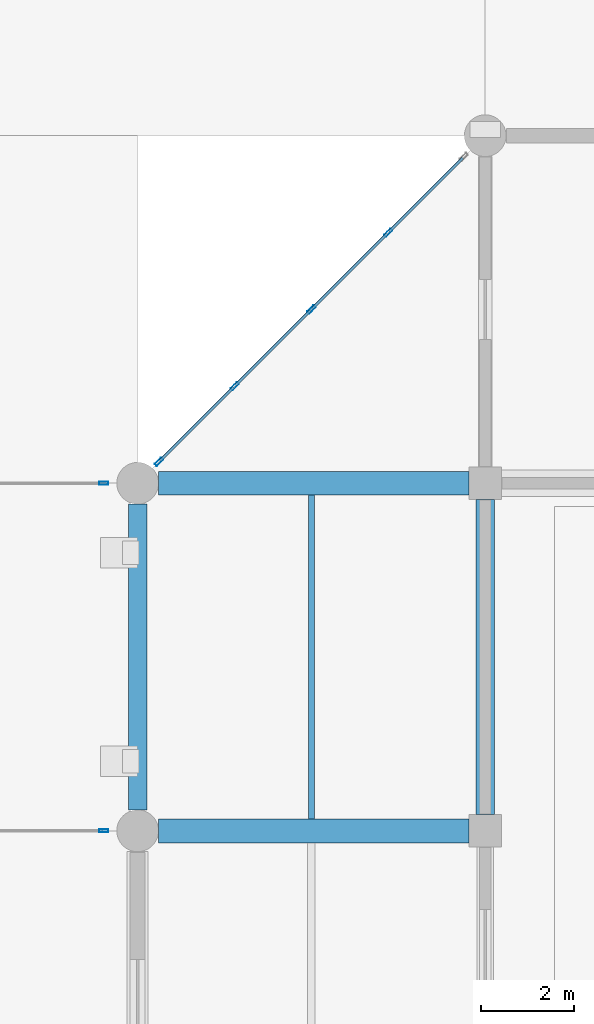
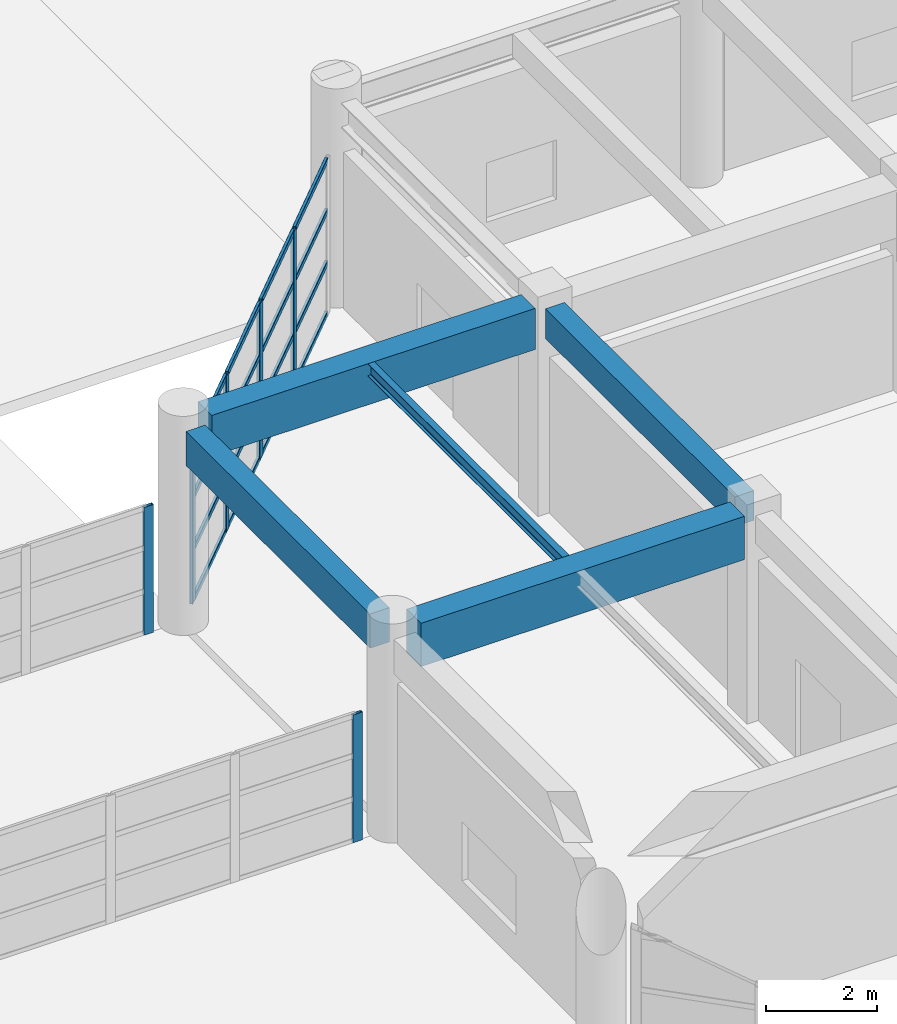
# One storey, part 56 of 122: 22 members, 5 beams, 3 elements without a shape of their own.
"""IFC4 building model written with IfcOpenShell, lengths in metres."""

from ifc_helpers import new_model, si_unit, direction, frame, origin, origin_2d, place, context, subcontext, project, spatial, rectangle, hollow_rectangle, i_section, extrude, material, material_profile, profile_set, type_object, element, aggregate, save


model = new_model("IFC4")

# Units and contexts
model_context = context("Model", 3, precision=1e-05, world=origin(), true_north=direction((0.0, 1.0)))
body_context = subcontext(model_context, "Body", "Model", "MODEL_VIEW")
ifc_project = project(units=[si_unit("LENGTHUNIT", "METRE"), si_unit("AREAUNIT", "SQUARE_METRE"), si_unit("VOLUMEUNIT", "CUBIC_METRE"), si_unit("PLANEANGLEUNIT", "RADIAN"), si_unit("MASSUNIT", "GRAM", prefix="KILO")], contexts=[model_context])

# Site, building, storey
site_placement = place(None, origin())
site = spatial("IfcSite", under=ifc_project, at=site_placement, CompositionType="ELEMENT")
building_placement = place(site_placement, origin())
building = spatial("IfcBuilding", under=site, at=building_placement, Name="Qasida Concert Hall", CompositionType="ELEMENT")
storey_placement = place(building_placement, origin())
storey = spatial("IfcBuildingStorey", under=building, at=storey_placement, Name="L00", CompositionType="ELEMENT", Elevation=0.0)

# Beams
ifc_material_1 = material(Name="Concrete C40/50", Category="concrete")
ifc_material_profile_1 = material_profile(ifc_material_1, rectangle(XDim=0.39990234375, YDim=0.64990234375, at=origin_2d()), Name="RC 400x650")
ifc_profile_set_1 = profile_set([ifc_material_profile_1], Name="Concrete C40/50")
beam_type_1 = type_object("IfcBeamType", Name="BM-B1", PredefinedType="BEAM", material=ifc_profile_set_1)
beam_1_placement = place(storey_placement, frame((135.0, 15.35009765625, 4.175048828125), z_axis=(0.0, 1.0, 0.0), x_axis=(-1.0, 0.0, 0.0)))
element("IfcBeam", 1, at=beam_1_placement, inside=storey, type_object=beam_type_1, Name="L00 girder 0486", PredefinedType="BEAM", context=body_context, shape_type="SweptSolid", body=[
    extrude(rectangle(XDim=0.39990234375, YDim=0.64990234375, at=origin_2d()), origin(), (0.0, 0.0, 1.0), 6.7998046875),
])
ifc_material_profile_2 = material_profile(ifc_material_1, rectangle(XDim=0.5, YDim=0.89990234375, at=origin_2d()), Name="RC 500x900")
ifc_profile_set_2 = profile_set([ifc_material_profile_2], Name="Concrete C40/50")
beam_type_2 = type_object("IfcBeamType", Name="BM-G1", PredefinedType="USERDEFINED", material=ifc_profile_set_2)
beam_2_placement = place(storey_placement, frame((127.949951171875, 22.5, 4.050048828125), z_axis=(1.0, 0.0, 0.0), x_axis=(0.0, 1.0, 0.0)))
element("IfcBeam", 2, at=beam_2_placement, inside=storey, type_object=beam_type_2, Name="Primary girder 0474", ObjectType="GIRDER", PredefinedType="USERDEFINED", context=body_context, shape_type="SweptSolid", body=[
    extrude(rectangle(XDim=0.5, YDim=0.89990234375, at=origin_2d()), origin(), (0.0, 0.0, 1.0), 6.699951171875),
])
ifc_material_profile_3 = material_profile(ifc_material_1, rectangle(XDim=0.52001953125, YDim=0.949951171875, at=origin_2d()), Name="RC 520x950")
ifc_profile_set_3 = profile_set([ifc_material_profile_3], Name="Concrete C40/50")
beam_type_3 = type_object("IfcBeamType", Name="BM-G7", PredefinedType="USERDEFINED", material=ifc_profile_set_3)
beam_3_placement = place(storey_placement, frame((127.949951171875, 15.0, 4.02490234375), z_axis=(1.0, 0.0, 0.0), x_axis=(0.0, 1.0, 0.0)))
element("IfcBeam", 3, at=beam_3_placement, inside=storey, type_object=beam_type_3, Name="Primary girder 0472", ObjectType="GIRDER", PredefinedType="USERDEFINED", context=body_context, shape_type="SweptSolid", body=[
    extrude(rectangle(XDim=0.52001953125, YDim=0.949951171875, at=origin_2d()), origin(), (0.0, 0.0, 1.0), 6.699951171875),
])
ifc_material_2 = material(Name="Steel S355J2", Category="steel")
ifc_material_profile_4 = material_profile(ifc_material_2, i_section(OverallWidth=0.135009765625, OverallDepth=0.27001953125, WebThickness=0.006591796875, FlangeThickness=0.01025390625, FilletRadius=0.014892578125, at=origin_2d()), Name="IPE 270")
ifc_profile_set_4 = profile_set([ifc_material_profile_4], Name="Steel S355J2")
beam_type_4 = type_object("IfcBeamType", Name="BM-J6", PredefinedType="JOIST", material=ifc_profile_set_4)
beam_4_placement = place(storey_placement, frame((131.25, 15.260009765625, 4.364990234375), z_axis=(0.0, 1.0, 0.0), x_axis=(-1.0, 0.0, 0.0)))
element("IfcBeam", 4, at=beam_4_placement, inside=storey, type_object=beam_type_4, Name="L00 secondary joist 0501", PredefinedType="JOIST", context=body_context, shape_type="SweptSolid", body=[
    extrude(i_section(OverallWidth=0.135009765625, OverallDepth=0.27001953125, WebThickness=0.006591796875, FlangeThickness=0.01025390625, FilletRadius=0.014892578125, at=origin_2d()), origin(), (0.0, 0.0, 1.0), 6.989990234375),
])
ifc_material_profile_5 = material_profile(ifc_material_1, rectangle(XDim=0.39990234375, YDim=0.75, at=origin_2d()), Name="RC 400x750")
ifc_profile_set_5 = profile_set([ifc_material_profile_5], Name="Concrete C40/50")
beam_type_5 = type_object("IfcBeamType", Name="BM-SP1", PredefinedType="SPANDREL", material=ifc_profile_set_5)
beam_5_placement = place(storey_placement, frame((127.5, 15.449951171875, 4.125), z_axis=(0.0, 1.0, 0.0), x_axis=(-1.0, 0.0, 0.0)))
element("IfcBeam", 5, at=beam_5_placement, inside=storey, type_object=beam_type_5, Name="L00 girder 0483", PredefinedType="SPANDREL", context=body_context, shape_type="SweptSolid", body=[
    extrude(rectangle(XDim=0.39990234375, YDim=0.75, at=origin_2d()), origin(), (0.0, 0.0, 1.0), 6.60009765625),
])

# Curtain wall, members
ifc_material_3 = material(Name="Architectural bronze-anodized aluminium and low-E glass", Category="aluminium")
curtain_wall_type = type_object("IfcCurtainWallType", Name="CW-07", PredefinedType="NOTDEFINED", material=ifc_material_3)
curtain_wall_1_placement = place(storey_placement, origin())
curtain_wall_1 = element("IfcCurtainWall", 6, at=curtain_wall_1_placement, inside=storey, type_object=curtain_wall_type, Name="L00 curtain wall CW-07 0141", PredefinedType="NOTDEFINED")
ifc_material_4 = material(Name="Architectural bronze-anodized aluminium EN AW-6063", Category="aluminium")
ifc_material_profile_6 = material_profile(ifc_material_4, hollow_rectangle(XDim=0.06494140625, YDim=0.199951171875, WallThickness=0.0048828125, InnerFilletRadius=0.0048828125, OuterFilletRadius=0.010009765625, at=origin_2d()), Name="CWM 200x65x5")
ifc_profile_set_6 = profile_set([ifc_material_profile_6], Name="Architectural bronze-anodized aluminium EN AW-6063")
member_type_1 = type_object("IfcMemberType", Name="MB-CWM-2", PredefinedType="MULLION", material=ifc_profile_set_6)
member_1_placement = place(storey_placement, frame((132.90576171875, 27.90576171875, 0.0), z_axis=(0.0, 0.0, 1.0), x_axis=(0.707106781187, -0.707106781187, 0.0)))
member_1 = element("IfcMember", 7, at=member_1_placement, type_object=member_type_1, Name="CW-07 mullion 2", PredefinedType="MULLION", context=body_context, shape_type="SweptSolid", body=[
    extrude(hollow_rectangle(XDim=0.06494140625, YDim=0.199951171875, WallThickness=0.0048828125, InnerFilletRadius=0.0048828125, OuterFilletRadius=0.010009765625, at=origin_2d()), origin(), (0.0, 0.0, 1.0), 3.419921875),
])
member_2_placement = place(storey_placement, frame((131.25, 26.25, 0.0), z_axis=(0.0, 0.0, 1.0), x_axis=(0.707106781187, -0.707106781187, 0.0)))
member_2 = element("IfcMember", 8, at=member_2_placement, type_object=member_type_1, Name="CW-07 mullion 3", PredefinedType="MULLION", context=body_context, shape_type="SweptSolid", body=[
    extrude(hollow_rectangle(XDim=0.06494140625, YDim=0.199951171875, WallThickness=0.0048828125, InnerFilletRadius=0.0048828125, OuterFilletRadius=0.010009765625, at=origin_2d()), origin(), (0.0, 0.0, 1.0), 3.419921875),
])
member_3_placement = place(storey_placement, frame((129.59423828125, 24.59423828125, 0.0), z_axis=(0.0, 0.0, 1.0), x_axis=(0.707106781187, -0.707106781187, 0.0)))
member_3 = element("IfcMember", 9, at=member_3_placement, type_object=member_type_1, Name="CW-07 mullion 4", PredefinedType="MULLION", context=body_context, shape_type="SweptSolid", body=[
    extrude(hollow_rectangle(XDim=0.06494140625, YDim=0.199951171875, WallThickness=0.0048828125, InnerFilletRadius=0.0048828125, OuterFilletRadius=0.010009765625, at=origin_2d()), origin(), (0.0, 0.0, 1.0), 3.419921875),
])
member_4_placement = place(storey_placement, frame((127.96142578125, 22.96142578125, 0.0), z_axis=(0.0, 0.0, 1.0), x_axis=(0.707106781187, -0.707106781187, 0.0)))
member_4 = element("IfcMember", 10, at=member_4_placement, type_object=member_type_1, Name="CW-07 mullion 5", PredefinedType="MULLION", context=body_context, shape_type="SweptSolid", body=[
    extrude(hollow_rectangle(XDim=0.06494140625, YDim=0.199951171875, WallThickness=0.0048828125, InnerFilletRadius=0.0048828125, OuterFilletRadius=0.010009765625, at=origin_2d()), origin(), (0.0, 0.0, 1.0), 3.419921875),
])

# Curtain wall, member
curtain_wall_2_placement = place(storey_placement, origin())
curtain_wall_2 = element("IfcCurtainWall", 11, at=curtain_wall_2_placement, inside=storey, type_object=curtain_wall_type, Name="L00 link bridge glazing 0232", PredefinedType="NOTDEFINED")
member_5_placement = place(storey_placement, frame((126.767578125, 15.0, 0.0), z_axis=(0.0, 0.0, 1.0), x_axis=(0.0, 1.0, 0.0)))
member_5 = element("IfcMember", 12, at=member_5_placement, type_object=member_type_1, Name="CW-07 mullion 5", PredefinedType="MULLION", context=body_context, shape_type="SweptSolid", body=[
    extrude(hollow_rectangle(XDim=0.06494140625, YDim=0.199951171875, WallThickness=0.0048828125, InnerFilletRadius=0.0048828125, OuterFilletRadius=0.010009765625, at=origin_2d()), origin(), (0.0, 0.0, 1.0), 2.800048828125),
])
aggregate(curtain_wall_2, [member_5])

curtain_wall_3_placement = place(storey_placement, origin())
curtain_wall_3 = element("IfcCurtainWall", 13, at=curtain_wall_3_placement, inside=storey, type_object=curtain_wall_type, Name="L00 link bridge glazing 0233", PredefinedType="NOTDEFINED")
member_6_placement = place(storey_placement, frame((126.767578125, 22.5, 0.0), z_axis=(0.0, 0.0, 1.0), x_axis=(0.0, 1.0, 0.0)))
member_6 = element("IfcMember", 14, at=member_6_placement, type_object=member_type_1, Name="CW-07 mullion 5", PredefinedType="MULLION", context=body_context, shape_type="SweptSolid", body=[
    extrude(hollow_rectangle(XDim=0.06494140625, YDim=0.199951171875, WallThickness=0.0048828125, InnerFilletRadius=0.0048828125, OuterFilletRadius=0.010009765625, at=origin_2d()), origin(), (0.0, 0.0, 1.0), 2.800048828125),
])
aggregate(curtain_wall_3, [member_6])

# Member
ifc_material_profile_7 = material_profile(ifc_material_4, hollow_rectangle(XDim=0.06005859375, YDim=0.1201171875, WallThickness=0.00390625, InnerFilletRadius=0.00390625, OuterFilletRadius=0.008056640625, at=origin_2d()), Name="CWT 120x60x4")
ifc_profile_set_7 = profile_set([ifc_material_profile_7], Name="Architectural bronze-anodized aluminium EN AW-6063")
member_type_2 = type_object("IfcMemberType", Name="MB-CWT-2", PredefinedType="USERDEFINED", material=ifc_profile_set_7)
member_7_placement = place(storey_placement, frame((134.515625, 29.515625, 0.030029296875), z_axis=(-0.707106781187, -0.707106781187, 0.0), x_axis=(0.707106781187, -0.707106781187, 0.0)))
member_7 = element("IfcMember", 15, at=member_7_placement, type_object=member_type_2, Name="CW-07 transom 1.1", ObjectType="TRANSOM", PredefinedType="USERDEFINED", context=body_context, shape_type="SweptSolid", body=[
    extrude(hollow_rectangle(XDim=0.06005859375, YDim=0.1201171875, WallThickness=0.00390625, InnerFilletRadius=0.00390625, OuterFilletRadius=0.008056640625, at=origin_2d()), origin(), (0.0, 0.0, 1.0), 2.244140625),
])

member_8_placement = place(storey_placement, frame((134.515625, 29.515625, 1.139892578125), z_axis=(-0.707106781187, -0.707106781187, 0.0), x_axis=(0.707106781187, -0.707106781187, 0.0)))
member_8 = element("IfcMember", 16, at=member_8_placement, type_object=member_type_2, Name="CW-07 transom 1.2", ObjectType="TRANSOM", PredefinedType="USERDEFINED", context=body_context, shape_type="SweptSolid", body=[
    extrude(hollow_rectangle(XDim=0.06005859375, YDim=0.1201171875, WallThickness=0.00390625, InnerFilletRadius=0.00390625, OuterFilletRadius=0.008056640625, at=origin_2d()), origin(), (0.0, 0.0, 1.0), 2.244140625),
])

member_9_placement = place(storey_placement, frame((134.515625, 29.515625, 2.280029296875), z_axis=(-0.707106781187, -0.707106781187, 0.0), x_axis=(0.707106781187, -0.707106781187, 0.0)))
member_9 = element("IfcMember", 17, at=member_9_placement, type_object=member_type_2, Name="CW-07 transom 1.3", ObjectType="TRANSOM", PredefinedType="USERDEFINED", context=body_context, shape_type="SweptSolid", body=[
    extrude(hollow_rectangle(XDim=0.06005859375, YDim=0.1201171875, WallThickness=0.00390625, InnerFilletRadius=0.00390625, OuterFilletRadius=0.008056640625, at=origin_2d()), origin(), (0.0, 0.0, 1.0), 2.244140625),
])

member_10_placement = place(storey_placement, frame((134.515625, 29.515625, 3.389892578125), z_axis=(-0.707106781187, -0.707106781187, 0.0), x_axis=(0.707106781187, -0.707106781187, 0.0)))
member_10 = element("IfcMember", 18, at=member_10_placement, type_object=member_type_2, Name="CW-07 transom 1.4", ObjectType="TRANSOM", PredefinedType="USERDEFINED", context=body_context, shape_type="SweptSolid", body=[
    extrude(hollow_rectangle(XDim=0.06005859375, YDim=0.1201171875, WallThickness=0.00390625, InnerFilletRadius=0.00390625, OuterFilletRadius=0.008056640625, at=origin_2d()), origin(), (0.0, 0.0, 1.0), 2.244140625),
])

member_11_placement = place(storey_placement, frame((132.8828125, 27.8828125, 0.030029296875), z_axis=(-0.707106781187, -0.707106781187, 0.0), x_axis=(0.707106781187, -0.707106781187, 0.0)))
member_11 = element("IfcMember", 19, at=member_11_placement, type_object=member_type_2, Name="CW-07 transom 2.1", ObjectType="TRANSOM", PredefinedType="USERDEFINED", context=body_context, shape_type="SweptSolid", body=[
    extrude(hollow_rectangle(XDim=0.06005859375, YDim=0.1201171875, WallThickness=0.00390625, InnerFilletRadius=0.00390625, OuterFilletRadius=0.008056640625, at=origin_2d()), origin(), (0.0, 0.0, 1.0), 2.276611328125),
])

member_12_placement = place(storey_placement, frame((132.8828125, 27.8828125, 1.139892578125), z_axis=(-0.707106781187, -0.707106781187, 0.0), x_axis=(0.707106781187, -0.707106781187, 0.0)))
member_12 = element("IfcMember", 20, at=member_12_placement, type_object=member_type_2, Name="CW-07 transom 2.2", ObjectType="TRANSOM", PredefinedType="USERDEFINED", context=body_context, shape_type="SweptSolid", body=[
    extrude(hollow_rectangle(XDim=0.06005859375, YDim=0.1201171875, WallThickness=0.00390625, InnerFilletRadius=0.00390625, OuterFilletRadius=0.008056640625, at=origin_2d()), origin(), (0.0, 0.0, 1.0), 2.276611328125),
])

member_13_placement = place(storey_placement, frame((132.8828125, 27.8828125, 2.280029296875), z_axis=(-0.707106781187, -0.707106781187, 0.0), x_axis=(0.707106781187, -0.707106781187, 0.0)))
member_13 = element("IfcMember", 21, at=member_13_placement, type_object=member_type_2, Name="CW-07 transom 2.3", ObjectType="TRANSOM", PredefinedType="USERDEFINED", context=body_context, shape_type="SweptSolid", body=[
    extrude(hollow_rectangle(XDim=0.06005859375, YDim=0.1201171875, WallThickness=0.00390625, InnerFilletRadius=0.00390625, OuterFilletRadius=0.008056640625, at=origin_2d()), origin(), (0.0, 0.0, 1.0), 2.276611328125),
])

member_14_placement = place(storey_placement, frame((132.8828125, 27.8828125, 3.389892578125), z_axis=(-0.707106781187, -0.707106781187, 0.0), x_axis=(0.707106781187, -0.707106781187, 0.0)))
member_14 = element("IfcMember", 22, at=member_14_placement, type_object=member_type_2, Name="CW-07 transom 2.4", ObjectType="TRANSOM", PredefinedType="USERDEFINED", context=body_context, shape_type="SweptSolid", body=[
    extrude(hollow_rectangle(XDim=0.06005859375, YDim=0.1201171875, WallThickness=0.00390625, InnerFilletRadius=0.00390625, OuterFilletRadius=0.008056640625, at=origin_2d()), origin(), (0.0, 0.0, 1.0), 2.276611328125),
])

member_15_placement = place(storey_placement, frame((131.22705078125, 26.22705078125, 0.030029296875), z_axis=(-0.707106781187, -0.707106781187, 0.0), x_axis=(0.707106781187, -0.707106781187, 0.0)))
member_15 = element("IfcMember", 23, at=member_15_placement, type_object=member_type_2, Name="CW-07 transom 3.1", ObjectType="TRANSOM", PredefinedType="USERDEFINED", context=body_context, shape_type="SweptSolid", body=[
    extrude(hollow_rectangle(XDim=0.06005859375, YDim=0.1201171875, WallThickness=0.00390625, InnerFilletRadius=0.00390625, OuterFilletRadius=0.008056640625, at=origin_2d()), origin(), (0.0, 0.0, 1.0), 2.276611328125),
])

member_16_placement = place(storey_placement, frame((131.22705078125, 26.22705078125, 1.139892578125), z_axis=(-0.707106781187, -0.707106781187, 0.0), x_axis=(0.707106781187, -0.707106781187, 0.0)))
member_16 = element("IfcMember", 24, at=member_16_placement, type_object=member_type_2, Name="CW-07 transom 3.2", ObjectType="TRANSOM", PredefinedType="USERDEFINED", context=body_context, shape_type="SweptSolid", body=[
    extrude(hollow_rectangle(XDim=0.06005859375, YDim=0.1201171875, WallThickness=0.00390625, InnerFilletRadius=0.00390625, OuterFilletRadius=0.008056640625, at=origin_2d()), origin(), (0.0, 0.0, 1.0), 2.276611328125),
])

member_17_placement = place(storey_placement, frame((131.22705078125, 26.22705078125, 2.280029296875), z_axis=(-0.707106781187, -0.707106781187, 0.0), x_axis=(0.707106781187, -0.707106781187, 0.0)))
member_17 = element("IfcMember", 25, at=member_17_placement, type_object=member_type_2, Name="CW-07 transom 3.3", ObjectType="TRANSOM", PredefinedType="USERDEFINED", context=body_context, shape_type="SweptSolid", body=[
    extrude(hollow_rectangle(XDim=0.06005859375, YDim=0.1201171875, WallThickness=0.00390625, InnerFilletRadius=0.00390625, OuterFilletRadius=0.008056640625, at=origin_2d()), origin(), (0.0, 0.0, 1.0), 2.276611328125),
])

member_18_placement = place(storey_placement, frame((131.22705078125, 26.22705078125, 3.389892578125), z_axis=(-0.707106781187, -0.707106781187, 0.0), x_axis=(0.707106781187, -0.707106781187, 0.0)))
member_18 = element("IfcMember", 26, at=member_18_placement, type_object=member_type_2, Name="CW-07 transom 3.4", ObjectType="TRANSOM", PredefinedType="USERDEFINED", context=body_context, shape_type="SweptSolid", body=[
    extrude(hollow_rectangle(XDim=0.06005859375, YDim=0.1201171875, WallThickness=0.00390625, InnerFilletRadius=0.00390625, OuterFilletRadius=0.008056640625, at=origin_2d()), origin(), (0.0, 0.0, 1.0), 2.276611328125),
])

member_19_placement = place(storey_placement, frame((129.5712890625, 24.5712890625, 0.030029296875), z_axis=(-0.707106781187, -0.707106781187, 0.0), x_axis=(0.707106781187, -0.707106781187, 0.0)))
member_19 = element("IfcMember", 27, at=member_19_placement, type_object=member_type_2, Name="CW-07 transom 4.1", ObjectType="TRANSOM", PredefinedType="USERDEFINED", context=body_context, shape_type="SweptSolid", body=[
    extrude(hollow_rectangle(XDim=0.06005859375, YDim=0.1201171875, WallThickness=0.00390625, InnerFilletRadius=0.00390625, OuterFilletRadius=0.008056640625, at=origin_2d()), origin(), (0.0, 0.0, 1.0), 2.244140625),
])

member_20_placement = place(storey_placement, frame((129.5712890625, 24.5712890625, 1.139892578125), z_axis=(-0.707106781187, -0.707106781187, 0.0), x_axis=(0.707106781187, -0.707106781187, 0.0)))
member_20 = element("IfcMember", 28, at=member_20_placement, type_object=member_type_2, Name="CW-07 transom 4.2", ObjectType="TRANSOM", PredefinedType="USERDEFINED", context=body_context, shape_type="SweptSolid", body=[
    extrude(hollow_rectangle(XDim=0.06005859375, YDim=0.1201171875, WallThickness=0.00390625, InnerFilletRadius=0.00390625, OuterFilletRadius=0.008056640625, at=origin_2d()), origin(), (0.0, 0.0, 1.0), 2.244140625),
])

member_21_placement = place(storey_placement, frame((129.5712890625, 24.5712890625, 2.280029296875), z_axis=(-0.707106781187, -0.707106781187, 0.0), x_axis=(0.707106781187, -0.707106781187, 0.0)))
member_21 = element("IfcMember", 29, at=member_21_placement, type_object=member_type_2, Name="CW-07 transom 4.3", ObjectType="TRANSOM", PredefinedType="USERDEFINED", context=body_context, shape_type="SweptSolid", body=[
    extrude(hollow_rectangle(XDim=0.06005859375, YDim=0.1201171875, WallThickness=0.00390625, InnerFilletRadius=0.00390625, OuterFilletRadius=0.008056640625, at=origin_2d()), origin(), (0.0, 0.0, 1.0), 2.244140625),
])

member_22_placement = place(storey_placement, frame((129.5712890625, 24.5712890625, 3.389892578125), z_axis=(-0.707106781187, -0.707106781187, 0.0), x_axis=(0.707106781187, -0.707106781187, 0.0)))
member_22 = element("IfcMember", 30, at=member_22_placement, type_object=member_type_2, Name="CW-07 transom 4.4", ObjectType="TRANSOM", PredefinedType="USERDEFINED", context=body_context, shape_type="SweptSolid", body=[
    extrude(hollow_rectangle(XDim=0.06005859375, YDim=0.1201171875, WallThickness=0.00390625, InnerFilletRadius=0.00390625, OuterFilletRadius=0.008056640625, at=origin_2d()), origin(), (0.0, 0.0, 1.0), 2.244140625),
])

aggregate(curtain_wall_1, [member_1, member_2, member_3, member_4, member_7, member_8, member_9, member_10, member_11, member_12, member_13, member_14, member_15, member_16, member_17, member_18, member_19, member_20, member_21, member_22])

save(model, "model.ifc")
